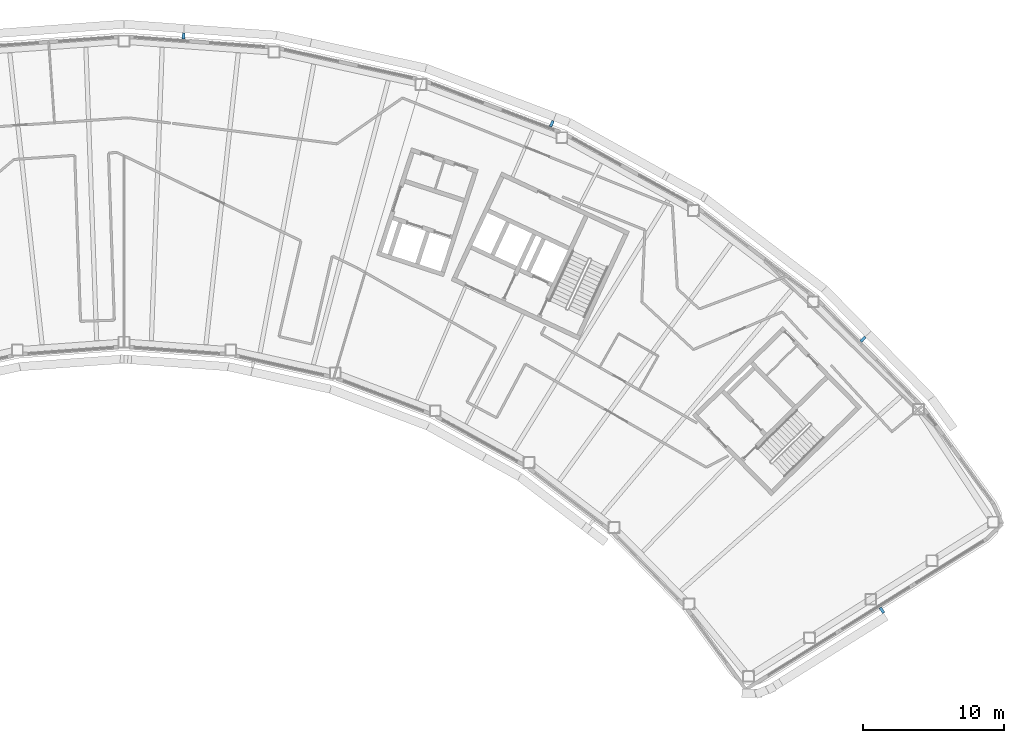
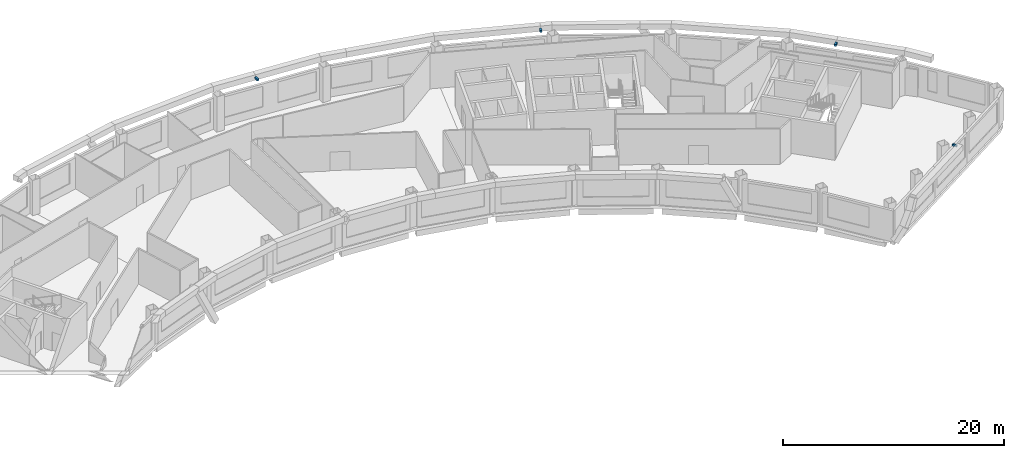
# One storey, part 12 of 15: 4 discrete accessories.
"""IFC4 building model written with IfcOpenShell, lengths in metres."""

from ifc_helpers import new_model, si_unit, direction, frame, origin, origin_2d, place, context, subcontext, project, spatial, rectangle, extrude, material, type_object, element, save


model = new_model("IFC4")

# Units and contexts
model_context = context("Model", 3, precision=1e-05, world=origin(), true_north=direction((0.0, 1.0)))
body_context = subcontext(model_context, "Body", "Model", "MODEL_VIEW")
ifc_project = project(units=[si_unit("LENGTHUNIT", "METRE"), si_unit("AREAUNIT", "SQUARE_METRE"), si_unit("VOLUMEUNIT", "CUBIC_METRE"), si_unit("PLANEANGLEUNIT", "RADIAN"), si_unit("MASSUNIT", "GRAM", prefix="KILO")], contexts=[model_context])

# Site, building, storey
site_placement = place(None, origin())
site = spatial("IfcSite", under=ifc_project, at=site_placement, CompositionType="ELEMENT")
building_placement = place(site_placement, origin())
building = spatial("IfcBuilding", under=site, at=building_placement, Name="Tuul Gate Civic Tower", CompositionType="ELEMENT")
storey_placement = place(building_placement, frame((0.0, 0.0, 332.300048828125)))
storey = spatial("IfcBuildingStorey", under=building, at=storey_placement, Name="Level 75", CompositionType="ELEMENT", Elevation=332.300048828125)

# Discrete accessories
ifc_material = material(Name="Stainless steel", Category="steel")
discrete_accessory_type = type_object("IfcDiscreteAccessoryType", Name="Screen bracket", PredefinedType="BRACKET", material=ifc_material)
discrete_accessory_1_placement = place(storey_placement, frame((54.627685546875, -7.30810546875, 3.75), z_axis=(0.0, 0.0, 1.0), x_axis=(0.704906613617, 0.709300124122, 0.0)))
element("IfcDiscreteAccessory", 1, at=discrete_accessory_1_placement, inside=storey, type_object=discrete_accessory_type, Name="Screen bracket 3", PredefinedType="BRACKET", context=body_context, shape_type="SweptSolid", body=[
    extrude(rectangle(XDim=0.449951171875, YDim=0.199951171875, at=origin_2d()), origin(), (0.0, 0.0, 1.0), 0.199951171875),
])
discrete_accessory_2_placement = place(storey_placement, frame((32.547119140625, 7.97119140625, 3.75), z_axis=(0.0, 0.0, 1.0), x_axis=(0.407425324445, 0.913238525797, 0.0)))
element("IfcDiscreteAccessory", 2, at=discrete_accessory_2_placement, inside=storey, type_object=discrete_accessory_type, Name="Screen bracket 6", PredefinedType="BRACKET", context=body_context, shape_type="SweptSolid", body=[
    extrude(rectangle(XDim=0.45068359375, YDim=0.199951171875, at=origin_2d()), origin(), (0.0, 0.0, 1.0), 0.199951171875),
])
discrete_accessory_3_placement = place(storey_placement, frame((6.418212890625, 14.198486328125, 3.75), z_axis=(0.0, 0.0, 1.0), x_axis=(0.056811278673, 0.99838493509, 0.0)))
element("IfcDiscreteAccessory", 3, at=discrete_accessory_3_placement, inside=storey, type_object=discrete_accessory_type, Name="Screen bracket 9", PredefinedType="BRACKET", context=body_context, shape_type="SweptSolid", body=[
    extrude(rectangle(XDim=0.4501953125, YDim=0.199951171875, at=origin_2d()), origin(), (0.0, 0.0, 1.0), 0.199951171875),
])
discrete_accessory_4_placement = place(storey_placement, frame((55.972900390625, -26.553466796875, 3.75), z_axis=(0.0, 0.0, 1.0), x_axis=(0.536424954277, -0.84394802472, 0.0)))
element("IfcDiscreteAccessory", 4, at=discrete_accessory_4_placement, inside=storey, type_object=discrete_accessory_type, Name="Screen bracket 33", PredefinedType="BRACKET", context=body_context, shape_type="SweptSolid", body=[
    extrude(rectangle(XDim=0.449951171875, YDim=0.199951171875, at=origin_2d()), origin(), (0.0, 0.0, 1.0), 0.199951171875),
])

save(model, "model.ifc")
